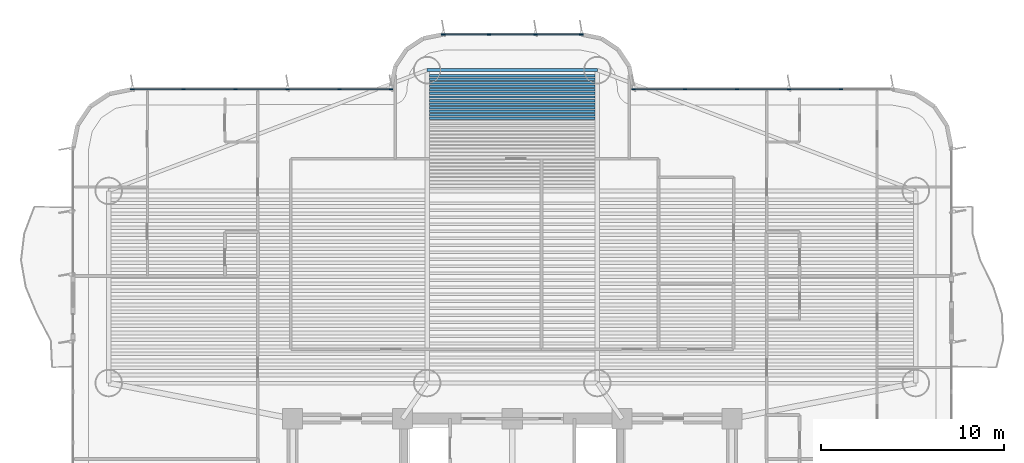
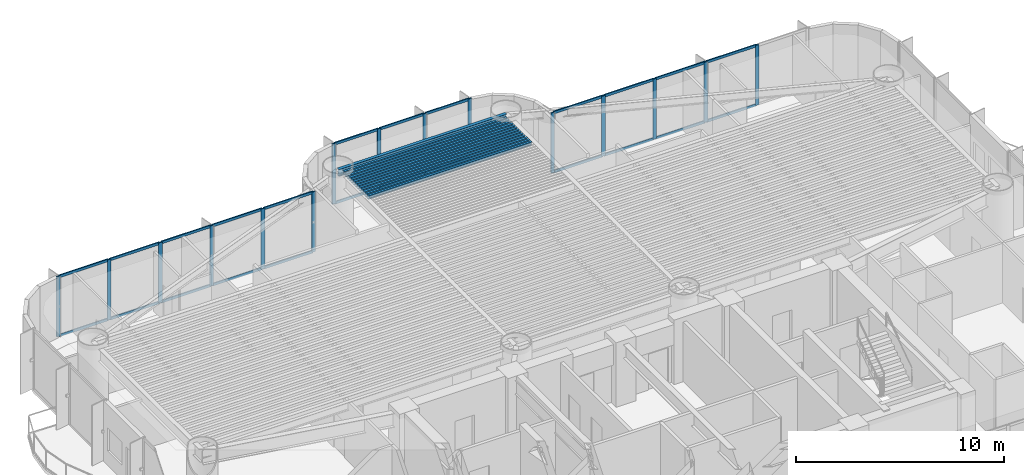
# One storey, part 7 of 18: 39 members, 14 beams, 3 elements without a shape of their own.
"""IFC4 building model written with IfcOpenShell, lengths in metres."""

from ifc_helpers import new_model, si_unit, direction, frame, origin, origin_2d, place, context, subcontext, project, spatial, rectangle, i_section, extrude, source, transform, mapped, material, layer, layer_set, material_profile, profile_set, type_object, element, aggregate, save


model = new_model("IFC4")

# Units and contexts
model_context = context("Model", 3, precision=1e-05, world=origin(), true_north=direction((0.0, 1.0)))
body_context = subcontext(model_context, "Body", "Model", "MODEL_VIEW")
ifc_project = project(units=[si_unit("LENGTHUNIT", "METRE"), si_unit("AREAUNIT", "SQUARE_METRE"), si_unit("VOLUMEUNIT", "CUBIC_METRE"), si_unit("PLANEANGLEUNIT", "RADIAN"), si_unit("MASSUNIT", "GRAM", prefix="KILO")], contexts=[model_context])

# Site, building, storey
site_placement = place(None, origin())
site = spatial("IfcSite", under=ifc_project, at=site_placement, CompositionType="ELEMENT")
building_placement = place(site_placement, origin())
building = spatial("IfcBuilding", under=site, at=building_placement, Name="Brelvock Crest Care Tower", CompositionType="ELEMENT")
storey_placement = place(building_placement, frame((0.0, 0.0, 72.360107421875)))
storey = spatial("IfcBuildingStorey", under=building, at=storey_placement, Name="L18", CompositionType="ELEMENT", Elevation=72.360107421875)

# Beams
ifc_material_1 = material(Name="Steel Grade 350", Category="steel")
ifc_material_profile_1 = material_profile(ifc_material_1, i_section(OverallWidth=0.177978515625, OverallDepth=0.406005859375, WebThickness=0.0078125, FlangeThickness=0.0126953125, FilletRadius=0.011474609375, at=origin_2d()), Name="410UB59.7")
ifc_profile_set_1 = profile_set([ifc_material_profile_1], Name="Steel Grade 350")
beam_type_1 = type_object("IfcBeamType", Name="BM-SP1", PredefinedType="SPANDREL", material=ifc_profile_set_1)
shared_shape_1 = source(origin(), body_context, "Body", "SweptSolid", [
    extrude(i_section(OverallWidth=0.177978515625, OverallDepth=0.406005859375, WebThickness=0.0078125, FlangeThickness=0.0126953125, FilletRadius=0.011474609375, at=origin_2d()), origin(), (0.0, 0.0, 1.0), 9.2998046875),
])
beam_placement = place(storey_placement, frame((31.35009765625, 37.050048828125, 3.326904296875), z_axis=(1.0, 0.0, 0.0), x_axis=(0.0, 1.0, 0.0)))
element("IfcBeam", 1, at=beam_placement, inside=storey, type_object=beam_type_1, Name="BM-TWR-L18-08", PredefinedType="SPANDREL", context=body_context, shape_type="MappedRepresentation", body=[
    mapped(shared_shape_1, transform((0.0, 0.0, 0.0), x_axis=(1.0, 0.0, 0.0), y_axis=(0.0, 1.0, 0.0), z_axis=(0.0, 0.0, 1.0), scale=1.0)),
])
ifc_material_profile_2 = material_profile(ifc_material_1, i_section(OverallWidth=0.134033203125, OverallDepth=0.20703125, WebThickness=0.00634765625, FlangeThickness=0.009521484375, FilletRadius=0.0087890625, at=origin_2d()), Name="200UB29.8")
ifc_profile_set_2 = profile_set([ifc_material_profile_2], Name="Steel Grade 350")
beam_type_2 = type_object("IfcBeamType", Name="BM-J4", PredefinedType="JOIST", material=ifc_profile_set_2)
shared_shape_2 = source(origin(), body_context, "Body", "SweptSolid", [
    extrude(i_section(OverallWidth=0.134033203125, OverallDepth=0.20703125, WebThickness=0.00634765625, FlangeThickness=0.009521484375, FilletRadius=0.0087890625, at=origin_2d()), origin(), (0.0, 0.0, 1.0), 9.06982421875),
])
for number, where, z_axis, x_axis, name in (
    (2, (31.465087890625, 34.413330078125, 3.426513671875), (1.0, 0.0, 0.0), (0.0, 1.0, 0.0), "BM-JN-L18-20"),
    (3, (31.465087890625, 34.60791015625, 3.426513671875), (1.0, 0.0, 0.0), (0.0, 1.0, 0.0), "BM-JN-L18-21"),
    (4, (31.465087890625, 34.802734375, 3.426513671875), (1.0, 0.0, 0.0), (0.0, 1.0, 0.0), "BM-JN-L18-22"),
    (5, (31.465087890625, 34.997314453125, 3.426513671875), (1.0, 0.0, 0.0), (0.0, 1.0, 0.0), "BM-JN-L18-23"),
    (6, (31.465087890625, 35.192138671875, 3.426513671875), (1.0, 0.0, 0.0), (0.0, 1.0, 0.0), "BM-JN-L18-24"),
    (7, (31.465087890625, 35.38671875, 3.426513671875), (1.0, 0.0, 0.0), (0.0, 1.0, 0.0), "BM-JN-L18-25"),
    (8, (31.465087890625, 35.58154296875, 3.426513671875), (1.0, 0.0, 0.0), (0.0, 1.0, 0.0), "BM-JN-L18-26"),
    (9, (31.465087890625, 35.776123046875, 3.426513671875), (1.0, 0.0, 0.0), (0.0, 1.0, 0.0), "BM-JN-L18-27"),
    (10, (31.465087890625, 35.970947265625, 3.426513671875), (1.0, 0.0, 0.0), (0.0, 1.0, 0.0), "BM-JN-L18-28"),
    (11, (31.465087890625, 36.16552734375, 3.426513671875), (1.0, 0.0, 0.0), (0.0, 1.0, 0.0), "BM-JN-L18-29"),
    (12, (31.465087890625, 36.3603515625, 3.426513671875), (1.0, 0.0, 0.0), (0.0, 1.0, 0.0), "BM-JN-L18-30"),
    (13, (31.465087890625, 36.554931640625, 3.426513671875), (1.0, 0.0, 0.0), (0.0, 1.0, 0.0), "BM-JN-L18-31"),
    (14, (31.465087890625, 36.749755859375, 3.426513671875), (1.0, 0.0, 0.0), (0.0, 1.0, 0.0), "BM-JN-L18-32"),
):
    element("IfcBeam", number, at=place(storey_placement, frame(where, z_axis=z_axis, x_axis=x_axis)), inside=storey, type_object=beam_type_2, Name=name, PredefinedType="JOIST", context=body_context, shape_type="MappedRepresentation", body=[
        mapped(shared_shape_2, transform((0.0, 0.0, 0.0), x_axis=(1.0, 0.0, 0.0), y_axis=(0.0, 1.0, 0.0), z_axis=(0.0, 0.0, 1.0), scale=1.0)),
    ])

# Curtain wall, members
ifc_material_2 = material(Name="Dark Glass Double Glazed Low-E", Category="glass")
ifc_layer = layer(ifc_material_2, 0.195068359375, Name="CWS-2")
ifc_layer_set = layer_set([ifc_layer], Name="Dark Glass Double Glazed Low-E")
curtain_wall_type = type_object("IfcCurtainWallType", Name="CWS-2", PredefinedType="NOTDEFINED", material=ifc_layer_set)
curtain_wall_1_placement = place(storey_placement, origin())
curtain_wall_1 = element("IfcCurtainWall", 15, at=curtain_wall_1_placement, inside=storey, type_object=curtain_wall_type, Name="L18 Curtain Wall E18", PredefinedType="NOTDEFINED")
ifc_material_3 = material(Name="Aluminium 6063-T6", Category="aluminium")
ifc_material_profile_3 = material_profile(ifc_material_3, rectangle(XDim=0.06494140625, YDim=0.14990234375, at=origin_2d()), Name="ALU65x150")
ifc_profile_set_3 = profile_set([ifc_material_profile_3], Name="Aluminium 6063-T6")
member_type_1 = type_object("IfcMemberType", Name="CWT-1", PredefinedType="USERDEFINED", material=ifc_profile_set_3)
shared_shape_3 = source(origin(), body_context, "Body", "SweptSolid", [
    extrude(rectangle(XDim=0.06494140625, YDim=0.14990234375, at=origin_2d()), origin(), (0.0, 0.0, 1.0), 2.74267578125),
])
member_1_placement = place(storey_placement, frame((15.264892578125, 36.0, 0.032470703125), z_axis=(1.0, 0.0, 0.0), x_axis=(0.0, 1.0, 0.0)))
member_1 = element("IfcMember", 16, at=member_1_placement, type_object=member_type_1, Name="CW-2 transom 1.1", ObjectType="TRANSOM", PredefinedType="USERDEFINED", context=body_context, shape_type="MappedRepresentation", body=[
    mapped(shared_shape_3, transform((0.0, 0.0, 0.0), x_axis=(1.0, 0.0, 0.0), y_axis=(0.0, 1.0, 0.0), z_axis=(0.0, 0.0, 1.0), scale=1.0)),
])
member_2_placement = place(storey_placement, frame((15.264892578125, 36.0, 3.497314453125), z_axis=(1.0, 0.0, 0.0), x_axis=(0.0, 1.0, 0.0)))
member_2 = element("IfcMember", 17, at=member_2_placement, type_object=member_type_1, Name="CW-2 transom 1.2", ObjectType="TRANSOM", PredefinedType="USERDEFINED", context=body_context, shape_type="MappedRepresentation", body=[
    mapped(shared_shape_3, transform((0.0, 0.0, 0.0), x_axis=(1.0, 0.0, 0.0), y_axis=(0.0, 1.0, 0.0), z_axis=(0.0, 0.0, 1.0), scale=1.0)),
])
shared_shape_4 = source(origin(), body_context, "Body", "SweptSolid", [
    extrude(rectangle(XDim=0.06494140625, YDim=0.14990234375, at=origin_2d()), origin(), (0.0, 0.0, 1.0), 2.77490234375),
])
member_3_placement = place(storey_placement, frame((18.072509765625, 36.0, 0.032470703125), z_axis=(1.0, 0.0, 0.0), x_axis=(0.0, 1.0, 0.0)))
member_3 = element("IfcMember", 18, at=member_3_placement, type_object=member_type_1, Name="CW-2 transom 2.1", ObjectType="TRANSOM", PredefinedType="USERDEFINED", context=body_context, shape_type="MappedRepresentation", body=[
    mapped(shared_shape_4, transform((0.0, 0.0, 0.0), x_axis=(1.0, 0.0, 0.0), y_axis=(0.0, 1.0, 0.0), z_axis=(0.0, 0.0, 1.0), scale=1.0)),
])
member_4_placement = place(storey_placement, frame((18.072509765625, 36.0, 3.497314453125), z_axis=(1.0, 0.0, 0.0), x_axis=(0.0, 1.0, 0.0)))
member_4 = element("IfcMember", 19, at=member_4_placement, type_object=member_type_1, Name="CW-2 transom 2.2", ObjectType="TRANSOM", PredefinedType="USERDEFINED", context=body_context, shape_type="MappedRepresentation", body=[
    mapped(shared_shape_4, transform((0.0, 0.0, 0.0), x_axis=(1.0, 0.0, 0.0), y_axis=(0.0, 1.0, 0.0), z_axis=(0.0, 0.0, 1.0), scale=1.0)),
])
member_5_placement = place(storey_placement, frame((20.91259765625, 36.0, 0.032470703125), z_axis=(1.0, 0.0, 0.0), x_axis=(0.0, 1.0, 0.0)))
member_5 = element("IfcMember", 20, at=member_5_placement, type_object=member_type_1, Name="CW-2 transom 3.1", ObjectType="TRANSOM", PredefinedType="USERDEFINED", context=body_context, shape_type="MappedRepresentation", body=[
    mapped(shared_shape_4, transform((0.0, 0.0, 0.0), x_axis=(1.0, 0.0, 0.0), y_axis=(0.0, 1.0, 0.0), z_axis=(0.0, 0.0, 1.0), scale=1.0)),
])
member_6_placement = place(storey_placement, frame((20.91259765625, 36.0, 3.497314453125), z_axis=(1.0, 0.0, 0.0), x_axis=(0.0, 1.0, 0.0)))
member_6 = element("IfcMember", 21, at=member_6_placement, type_object=member_type_1, Name="CW-2 transom 3.2", ObjectType="TRANSOM", PredefinedType="USERDEFINED", context=body_context, shape_type="MappedRepresentation", body=[
    mapped(shared_shape_4, transform((0.0, 0.0, 0.0), x_axis=(1.0, 0.0, 0.0), y_axis=(0.0, 1.0, 0.0), z_axis=(0.0, 0.0, 1.0), scale=1.0)),
])

curtain_wall_2_placement = place(storey_placement, origin())
curtain_wall_2 = element("IfcCurtainWall", 22, at=curtain_wall_2_placement, inside=storey, type_object=curtain_wall_type, Name="L18 Curtain Wall E30", PredefinedType="NOTDEFINED")
member_7_placement = place(storey_placement, frame((48.3125, 36.0, 0.032470703125), z_axis=(1.0, 0.0, 0.0), x_axis=(0.0, 1.0, 0.0)))
member_7 = element("IfcMember", 23, at=member_7_placement, type_object=member_type_1, Name="CW-2 transom 3.1", ObjectType="TRANSOM", PredefinedType="USERDEFINED", context=body_context, shape_type="MappedRepresentation", body=[
    mapped(shared_shape_4, transform((0.0, 0.0, 0.0), x_axis=(1.0, 0.0, 0.0), y_axis=(0.0, 1.0, 0.0), z_axis=(0.0, 0.0, 1.0), scale=1.0)),
])
member_8_placement = place(storey_placement, frame((48.3125, 36.0, 3.497314453125), z_axis=(1.0, 0.0, 0.0), x_axis=(0.0, 1.0, 0.0)))
member_8 = element("IfcMember", 24, at=member_8_placement, type_object=member_type_1, Name="CW-2 transom 3.2", ObjectType="TRANSOM", PredefinedType="USERDEFINED", context=body_context, shape_type="MappedRepresentation", body=[
    mapped(shared_shape_4, transform((0.0, 0.0, 0.0), x_axis=(1.0, 0.0, 0.0), y_axis=(0.0, 1.0, 0.0), z_axis=(0.0, 0.0, 1.0), scale=1.0)),
])
member_9_placement = place(storey_placement, frame((51.152587890625, 36.0, 0.032470703125), z_axis=(1.0, 0.0, 0.0), x_axis=(0.0, 1.0, 0.0)))
member_9 = element("IfcMember", 25, at=member_9_placement, type_object=member_type_1, Name="CW-2 transom 4.1", ObjectType="TRANSOM", PredefinedType="USERDEFINED", context=body_context, shape_type="MappedRepresentation", body=[
    mapped(shared_shape_4, transform((0.0, 0.0, 0.0), x_axis=(1.0, 0.0, 0.0), y_axis=(0.0, 1.0, 0.0), z_axis=(0.0, 0.0, 1.0), scale=1.0)),
])
member_10_placement = place(storey_placement, frame((51.152587890625, 36.0, 3.497314453125), z_axis=(1.0, 0.0, 0.0), x_axis=(0.0, 1.0, 0.0)))
member_10 = element("IfcMember", 26, at=member_10_placement, type_object=member_type_1, Name="CW-2 transom 4.2", ObjectType="TRANSOM", PredefinedType="USERDEFINED", context=body_context, shape_type="MappedRepresentation", body=[
    mapped(shared_shape_4, transform((0.0, 0.0, 0.0), x_axis=(1.0, 0.0, 0.0), y_axis=(0.0, 1.0, 0.0), z_axis=(0.0, 0.0, 1.0), scale=1.0)),
])

# Member
shared_shape_5 = source(origin(), body_context, "Body", "SweptSolid", [
    extrude(rectangle(XDim=0.06494140625, YDim=0.14990234375, at=origin_2d()), origin(), (0.0, 0.0, 1.0), 2.775146484375),
])
member_11_placement = place(storey_placement, frame((23.75244140625, 36.0, 0.032470703125), z_axis=(1.0, 0.0, 0.0), x_axis=(0.0, 1.0, 0.0)))
member_11 = element("IfcMember", 27, at=member_11_placement, type_object=member_type_1, Name="CW-2 transom 4.1", ObjectType="TRANSOM", PredefinedType="USERDEFINED", context=body_context, shape_type="MappedRepresentation", body=[
    mapped(shared_shape_5, transform((0.0, 0.0, 0.0), x_axis=(1.0, 0.0, 0.0), y_axis=(0.0, 1.0, 0.0), z_axis=(0.0, 0.0, 1.0), scale=1.0)),
])

member_12_placement = place(storey_placement, frame((23.75244140625, 36.0, 3.497314453125), z_axis=(1.0, 0.0, 0.0), x_axis=(0.0, 1.0, 0.0)))
member_12 = element("IfcMember", 28, at=member_12_placement, type_object=member_type_1, Name="CW-2 transom 4.2", ObjectType="TRANSOM", PredefinedType="USERDEFINED", context=body_context, shape_type="MappedRepresentation", body=[
    mapped(shared_shape_5, transform((0.0, 0.0, 0.0), x_axis=(1.0, 0.0, 0.0), y_axis=(0.0, 1.0, 0.0), z_axis=(0.0, 0.0, 1.0), scale=1.0)),
])

member_13_placement = place(storey_placement, frame((45.472412109375, 36.0, 0.032470703125), z_axis=(1.0, 0.0, 0.0), x_axis=(0.0, 1.0, 0.0)))
member_13 = element("IfcMember", 29, at=member_13_placement, type_object=member_type_1, Name="CW-2 transom 2.1", ObjectType="TRANSOM", PredefinedType="USERDEFINED", context=body_context, shape_type="MappedRepresentation", body=[
    mapped(shared_shape_5, transform((0.0, 0.0, 0.0), x_axis=(1.0, 0.0, 0.0), y_axis=(0.0, 1.0, 0.0), z_axis=(0.0, 0.0, 1.0), scale=1.0)),
])

member_14_placement = place(storey_placement, frame((45.472412109375, 36.0, 3.497314453125), z_axis=(1.0, 0.0, 0.0), x_axis=(0.0, 1.0, 0.0)))
member_14 = element("IfcMember", 30, at=member_14_placement, type_object=member_type_1, Name="CW-2 transom 2.2", ObjectType="TRANSOM", PredefinedType="USERDEFINED", context=body_context, shape_type="MappedRepresentation", body=[
    mapped(shared_shape_5, transform((0.0, 0.0, 0.0), x_axis=(1.0, 0.0, 0.0), y_axis=(0.0, 1.0, 0.0), z_axis=(0.0, 0.0, 1.0), scale=1.0)),
])

shared_shape_6 = source(origin(), body_context, "Body", "SweptSolid", [
    extrude(rectangle(XDim=0.06494140625, YDim=0.14990234375, at=origin_2d()), origin(), (0.0, 0.0, 1.0), 2.742431640625),
])
member_15_placement = place(storey_placement, frame((26.592529296875, 36.0, 0.032470703125), z_axis=(1.0, 0.0, 0.0), x_axis=(0.0, 1.0, 0.0)))
member_15 = element("IfcMember", 31, at=member_15_placement, type_object=member_type_1, Name="CW-2 transom 5.1", ObjectType="TRANSOM", PredefinedType="USERDEFINED", context=body_context, shape_type="MappedRepresentation", body=[
    mapped(shared_shape_6, transform((0.0, 0.0, 0.0), x_axis=(1.0, 0.0, 0.0), y_axis=(0.0, 1.0, 0.0), z_axis=(0.0, 0.0, 1.0), scale=1.0)),
])

member_16_placement = place(storey_placement, frame((26.592529296875, 36.0, 3.497314453125), z_axis=(1.0, 0.0, 0.0), x_axis=(0.0, 1.0, 0.0)))
member_16 = element("IfcMember", 32, at=member_16_placement, type_object=member_type_1, Name="CW-2 transom 5.2", ObjectType="TRANSOM", PredefinedType="USERDEFINED", context=body_context, shape_type="MappedRepresentation", body=[
    mapped(shared_shape_6, transform((0.0, 0.0, 0.0), x_axis=(1.0, 0.0, 0.0), y_axis=(0.0, 1.0, 0.0), z_axis=(0.0, 0.0, 1.0), scale=1.0)),
])

member_17_placement = place(storey_placement, frame((42.6650390625, 36.0, 0.032470703125), z_axis=(1.0, 0.0, 0.0), x_axis=(0.0, 1.0, 0.0)))
member_17 = element("IfcMember", 33, at=member_17_placement, type_object=member_type_1, Name="CW-2 transom 1.1", ObjectType="TRANSOM", PredefinedType="USERDEFINED", context=body_context, shape_type="MappedRepresentation", body=[
    mapped(shared_shape_6, transform((0.0, 0.0, 0.0), x_axis=(1.0, 0.0, 0.0), y_axis=(0.0, 1.0, 0.0), z_axis=(0.0, 0.0, 1.0), scale=1.0)),
])

member_18_placement = place(storey_placement, frame((42.6650390625, 36.0, 3.497314453125), z_axis=(1.0, 0.0, 0.0), x_axis=(0.0, 1.0, 0.0)))
member_18 = element("IfcMember", 34, at=member_18_placement, type_object=member_type_1, Name="CW-2 transom 1.2", ObjectType="TRANSOM", PredefinedType="USERDEFINED", context=body_context, shape_type="MappedRepresentation", body=[
    mapped(shared_shape_6, transform((0.0, 0.0, 0.0), x_axis=(1.0, 0.0, 0.0), y_axis=(0.0, 1.0, 0.0), z_axis=(0.0, 0.0, 1.0), scale=1.0)),
])

# Curtain wall, members
curtain_wall_3_placement = place(storey_placement, origin())
curtain_wall_3 = element("IfcCurtainWall", 35, at=curtain_wall_3_placement, inside=storey, type_object=curtain_wall_type, Name="L18 Curtain Wall E24", PredefinedType="NOTDEFINED")
shared_shape_7 = source(origin(), body_context, "Body", "SweptSolid", [
    extrude(rectangle(XDim=0.06494140625, YDim=0.14990234375, at=origin_2d()), origin(), (0.0, 0.0, 1.0), 2.43603515625),
])
member_19_placement = place(storey_placement, frame((32.264892578125, 39.0, 0.032470703125), z_axis=(1.0, 0.0, 0.0), x_axis=(0.0, 1.0, 0.0)))
member_19 = element("IfcMember", 36, at=member_19_placement, type_object=member_type_1, Name="CW-2 transom 1.1", ObjectType="TRANSOM", PredefinedType="USERDEFINED", context=body_context, shape_type="MappedRepresentation", body=[
    mapped(shared_shape_7, transform((0.0, 0.0, 0.0), x_axis=(1.0, 0.0, 0.0), y_axis=(0.0, 1.0, 0.0), z_axis=(0.0, 0.0, 1.0), scale=1.0)),
])
member_20_placement = place(storey_placement, frame((32.264892578125, 39.0, 3.497314453125), z_axis=(1.0, 0.0, 0.0), x_axis=(0.0, 1.0, 0.0)))
member_20 = element("IfcMember", 37, at=member_20_placement, type_object=member_type_1, Name="CW-2 transom 1.2", ObjectType="TRANSOM", PredefinedType="USERDEFINED", context=body_context, shape_type="MappedRepresentation", body=[
    mapped(shared_shape_7, transform((0.0, 0.0, 0.0), x_axis=(1.0, 0.0, 0.0), y_axis=(0.0, 1.0, 0.0), z_axis=(0.0, 0.0, 1.0), scale=1.0)),
])
member_21_placement = place(storey_placement, frame((37.299072265625, 39.0, 0.032470703125), z_axis=(1.0, 0.0, 0.0), x_axis=(0.0, 1.0, 0.0)))
member_21 = element("IfcMember", 38, at=member_21_placement, type_object=member_type_1, Name="CW-2 transom 3.1", ObjectType="TRANSOM", PredefinedType="USERDEFINED", context=body_context, shape_type="MappedRepresentation", body=[
    mapped(shared_shape_7, transform((0.0, 0.0, 0.0), x_axis=(1.0, 0.0, 0.0), y_axis=(0.0, 1.0, 0.0), z_axis=(0.0, 0.0, 1.0), scale=1.0)),
])
member_22_placement = place(storey_placement, frame((37.299072265625, 39.0, 3.497314453125), z_axis=(1.0, 0.0, 0.0), x_axis=(0.0, 1.0, 0.0)))
member_22 = element("IfcMember", 39, at=member_22_placement, type_object=member_type_1, Name="CW-2 transom 3.2", ObjectType="TRANSOM", PredefinedType="USERDEFINED", context=body_context, shape_type="MappedRepresentation", body=[
    mapped(shared_shape_7, transform((0.0, 0.0, 0.0), x_axis=(1.0, 0.0, 0.0), y_axis=(0.0, 1.0, 0.0), z_axis=(0.0, 0.0, 1.0), scale=1.0)),
])
shared_shape_8 = source(origin(), body_context, "Body", "SweptSolid", [
    extrude(rectangle(XDim=0.06494140625, YDim=0.14990234375, at=origin_2d()), origin(), (0.0, 0.0, 1.0), 2.46826171875),
])
member_23_placement = place(storey_placement, frame((34.765869140625, 39.0, 0.032470703125), z_axis=(1.0, 0.0, 0.0), x_axis=(0.0, 1.0, 0.0)))
member_23 = element("IfcMember", 40, at=member_23_placement, type_object=member_type_1, Name="CW-2 transom 2.1", ObjectType="TRANSOM", PredefinedType="USERDEFINED", context=body_context, shape_type="MappedRepresentation", body=[
    mapped(shared_shape_8, transform((0.0, 0.0, 0.0), x_axis=(1.0, 0.0, 0.0), y_axis=(0.0, 1.0, 0.0), z_axis=(0.0, 0.0, 1.0), scale=1.0)),
])
member_24_placement = place(storey_placement, frame((34.765869140625, 39.0, 3.497314453125), z_axis=(1.0, 0.0, 0.0), x_axis=(0.0, 1.0, 0.0)))
member_24 = element("IfcMember", 41, at=member_24_placement, type_object=member_type_1, Name="CW-2 transom 2.2", ObjectType="TRANSOM", PredefinedType="USERDEFINED", context=body_context, shape_type="MappedRepresentation", body=[
    mapped(shared_shape_8, transform((0.0, 0.0, 0.0), x_axis=(1.0, 0.0, 0.0), y_axis=(0.0, 1.0, 0.0), z_axis=(0.0, 0.0, 1.0), scale=1.0)),
])

# Member
ifc_material_profile_4 = material_profile(ifc_material_3, rectangle(XDim=0.06494140625, YDim=0.199951171875, at=origin_2d()), Name="ALU65x200")
ifc_profile_set_4 = profile_set([ifc_material_profile_4], Name="Aluminium 6063-T6")
member_type_2 = type_object("IfcMemberType", Name="CWM-1", PredefinedType="MULLION", material=ifc_profile_set_4)
shared_shape_9 = source(origin(), body_context, "Body", "SweptSolid", [
    extrude(rectangle(XDim=0.06494140625, YDim=0.199951171875, at=origin_2d()), origin(), (0.0, 0.0, 1.0), 3.52978515625),
])
member_25_placement = place(storey_placement, frame((15.232421875, 36.0, 0.0), z_axis=(0.0, 0.0, 1.0), x_axis=(0.0, 1.0, 0.0)))
member_25 = element("IfcMember", 42, at=member_25_placement, type_object=member_type_2, Name="CW-2 mullion 1", PredefinedType="MULLION", context=body_context, shape_type="MappedRepresentation", body=[
    mapped(shared_shape_9, transform((0.0, 0.0, 0.0), x_axis=(1.0, 0.0, 0.0), y_axis=(0.0, 1.0, 0.0), z_axis=(0.0, 0.0, 1.0), scale=1.0)),
])

member_26_placement = place(storey_placement, frame((18.0400390625, 36.0, 0.0), z_axis=(0.0, 0.0, 1.0), x_axis=(0.0, 1.0, 0.0)))
member_26 = element("IfcMember", 43, at=member_26_placement, type_object=member_type_2, Name="CW-2 mullion 2", PredefinedType="MULLION", context=body_context, shape_type="MappedRepresentation", body=[
    mapped(shared_shape_9, transform((0.0, 0.0, 0.0), x_axis=(1.0, 0.0, 0.0), y_axis=(0.0, 1.0, 0.0), z_axis=(0.0, 0.0, 1.0), scale=1.0)),
])

member_27_placement = place(storey_placement, frame((20.8798828125, 36.0, 0.0), z_axis=(0.0, 0.0, 1.0), x_axis=(0.0, 1.0, 0.0)))
member_27 = element("IfcMember", 44, at=member_27_placement, type_object=member_type_2, Name="CW-2 mullion 3", PredefinedType="MULLION", context=body_context, shape_type="MappedRepresentation", body=[
    mapped(shared_shape_9, transform((0.0, 0.0, 0.0), x_axis=(1.0, 0.0, 0.0), y_axis=(0.0, 1.0, 0.0), z_axis=(0.0, 0.0, 1.0), scale=1.0)),
])

member_28_placement = place(storey_placement, frame((23.719970703125, 36.0, 0.0), z_axis=(0.0, 0.0, 1.0), x_axis=(0.0, 1.0, 0.0)))
member_28 = element("IfcMember", 45, at=member_28_placement, type_object=member_type_2, Name="CW-2 mullion 4", PredefinedType="MULLION", context=body_context, shape_type="MappedRepresentation", body=[
    mapped(shared_shape_9, transform((0.0, 0.0, 0.0), x_axis=(1.0, 0.0, 0.0), y_axis=(0.0, 1.0, 0.0), z_axis=(0.0, 0.0, 1.0), scale=1.0)),
])

member_29_placement = place(storey_placement, frame((26.56005859375, 36.0, 0.0), z_axis=(0.0, 0.0, 1.0), x_axis=(0.0, 1.0, 0.0)))
member_29 = element("IfcMember", 46, at=member_29_placement, type_object=member_type_2, Name="CW-2 mullion 5", PredefinedType="MULLION", context=body_context, shape_type="MappedRepresentation", body=[
    mapped(shared_shape_9, transform((0.0, 0.0, 0.0), x_axis=(1.0, 0.0, 0.0), y_axis=(0.0, 1.0, 0.0), z_axis=(0.0, 0.0, 1.0), scale=1.0)),
])

member_30_placement = place(storey_placement, frame((29.367431640625, 36.0, 0.0), z_axis=(0.0, 0.0, 1.0), x_axis=(0.0, 1.0, 0.0)))
member_30 = element("IfcMember", 47, at=member_30_placement, type_object=member_type_2, Name="CW-2 mullion 6", PredefinedType="MULLION", context=body_context, shape_type="MappedRepresentation", body=[
    mapped(shared_shape_9, transform((0.0, 0.0, 0.0), x_axis=(1.0, 0.0, 0.0), y_axis=(0.0, 1.0, 0.0), z_axis=(0.0, 0.0, 1.0), scale=1.0)),
])

aggregate(curtain_wall_1, [member_25, member_26, member_27, member_28, member_29, member_30, member_1, member_2, member_3, member_4, member_5, member_6, member_11, member_12, member_15, member_16])

member_31_placement = place(storey_placement, frame((32.232421875, 39.0, 0.0), z_axis=(0.0, 0.0, 1.0), x_axis=(0.0, 1.0, 0.0)))
member_31 = element("IfcMember", 48, at=member_31_placement, type_object=member_type_2, Name="CW-2 mullion 1", PredefinedType="MULLION", context=body_context, shape_type="MappedRepresentation", body=[
    mapped(shared_shape_9, transform((0.0, 0.0, 0.0), x_axis=(1.0, 0.0, 0.0), y_axis=(0.0, 1.0, 0.0), z_axis=(0.0, 0.0, 1.0), scale=1.0)),
])

member_32_placement = place(storey_placement, frame((34.7333984375, 39.0, 0.0), z_axis=(0.0, 0.0, 1.0), x_axis=(0.0, 1.0, 0.0)))
member_32 = element("IfcMember", 49, at=member_32_placement, type_object=member_type_2, Name="CW-2 mullion 2", PredefinedType="MULLION", context=body_context, shape_type="MappedRepresentation", body=[
    mapped(shared_shape_9, transform((0.0, 0.0, 0.0), x_axis=(1.0, 0.0, 0.0), y_axis=(0.0, 1.0, 0.0), z_axis=(0.0, 0.0, 1.0), scale=1.0)),
])

member_33_placement = place(storey_placement, frame((37.2666015625, 39.0, 0.0), z_axis=(0.0, 0.0, 1.0), x_axis=(0.0, 1.0, 0.0)))
member_33 = element("IfcMember", 50, at=member_33_placement, type_object=member_type_2, Name="CW-2 mullion 3", PredefinedType="MULLION", context=body_context, shape_type="MappedRepresentation", body=[
    mapped(shared_shape_9, transform((0.0, 0.0, 0.0), x_axis=(1.0, 0.0, 0.0), y_axis=(0.0, 1.0, 0.0), z_axis=(0.0, 0.0, 1.0), scale=1.0)),
])

member_34_placement = place(storey_placement, frame((39.767578125, 39.0, 0.0), z_axis=(0.0, 0.0, 1.0), x_axis=(0.0, 1.0, 0.0)))
member_34 = element("IfcMember", 51, at=member_34_placement, type_object=member_type_2, Name="CW-2 mullion 4", PredefinedType="MULLION", context=body_context, shape_type="MappedRepresentation", body=[
    mapped(shared_shape_9, transform((0.0, 0.0, 0.0), x_axis=(1.0, 0.0, 0.0), y_axis=(0.0, 1.0, 0.0), z_axis=(0.0, 0.0, 1.0), scale=1.0)),
])

aggregate(curtain_wall_3, [member_31, member_32, member_33, member_34, member_19, member_20, member_23, member_24, member_21, member_22])

member_35_placement = place(storey_placement, frame((42.632568359375, 36.0, 0.0), z_axis=(0.0, 0.0, 1.0), x_axis=(0.0, 1.0, 0.0)))
member_35 = element("IfcMember", 52, at=member_35_placement, type_object=member_type_2, Name="CW-2 mullion 1", PredefinedType="MULLION", context=body_context, shape_type="MappedRepresentation", body=[
    mapped(shared_shape_9, transform((0.0, 0.0, 0.0), x_axis=(1.0, 0.0, 0.0), y_axis=(0.0, 1.0, 0.0), z_axis=(0.0, 0.0, 1.0), scale=1.0)),
])

member_36_placement = place(storey_placement, frame((45.43994140625, 36.0, 0.0), z_axis=(0.0, 0.0, 1.0), x_axis=(0.0, 1.0, 0.0)))
member_36 = element("IfcMember", 53, at=member_36_placement, type_object=member_type_2, Name="CW-2 mullion 2", PredefinedType="MULLION", context=body_context, shape_type="MappedRepresentation", body=[
    mapped(shared_shape_9, transform((0.0, 0.0, 0.0), x_axis=(1.0, 0.0, 0.0), y_axis=(0.0, 1.0, 0.0), z_axis=(0.0, 0.0, 1.0), scale=1.0)),
])

member_37_placement = place(storey_placement, frame((48.280029296875, 36.0, 0.0), z_axis=(0.0, 0.0, 1.0), x_axis=(0.0, 1.0, 0.0)))
member_37 = element("IfcMember", 54, at=member_37_placement, type_object=member_type_2, Name="CW-2 mullion 3", PredefinedType="MULLION", context=body_context, shape_type="MappedRepresentation", body=[
    mapped(shared_shape_9, transform((0.0, 0.0, 0.0), x_axis=(1.0, 0.0, 0.0), y_axis=(0.0, 1.0, 0.0), z_axis=(0.0, 0.0, 1.0), scale=1.0)),
])

member_38_placement = place(storey_placement, frame((51.1201171875, 36.0, 0.0), z_axis=(0.0, 0.0, 1.0), x_axis=(0.0, 1.0, 0.0)))
member_38 = element("IfcMember", 55, at=member_38_placement, type_object=member_type_2, Name="CW-2 mullion 4", PredefinedType="MULLION", context=body_context, shape_type="MappedRepresentation", body=[
    mapped(shared_shape_9, transform((0.0, 0.0, 0.0), x_axis=(1.0, 0.0, 0.0), y_axis=(0.0, 1.0, 0.0), z_axis=(0.0, 0.0, 1.0), scale=1.0)),
])

member_39_placement = place(storey_placement, frame((53.9599609375, 36.0, 0.0), z_axis=(0.0, 0.0, 1.0), x_axis=(0.0, 1.0, 0.0)))
member_39 = element("IfcMember", 56, at=member_39_placement, type_object=member_type_2, Name="CW-2 mullion 5", PredefinedType="MULLION", context=body_context, shape_type="MappedRepresentation", body=[
    mapped(shared_shape_9, transform((0.0, 0.0, 0.0), x_axis=(1.0, 0.0, 0.0), y_axis=(0.0, 1.0, 0.0), z_axis=(0.0, 0.0, 1.0), scale=1.0)),
])

aggregate(curtain_wall_2, [member_35, member_36, member_37, member_38, member_39, member_17, member_18, member_13, member_14, member_7, member_8, member_9, member_10])

save(model, "model.ifc")
